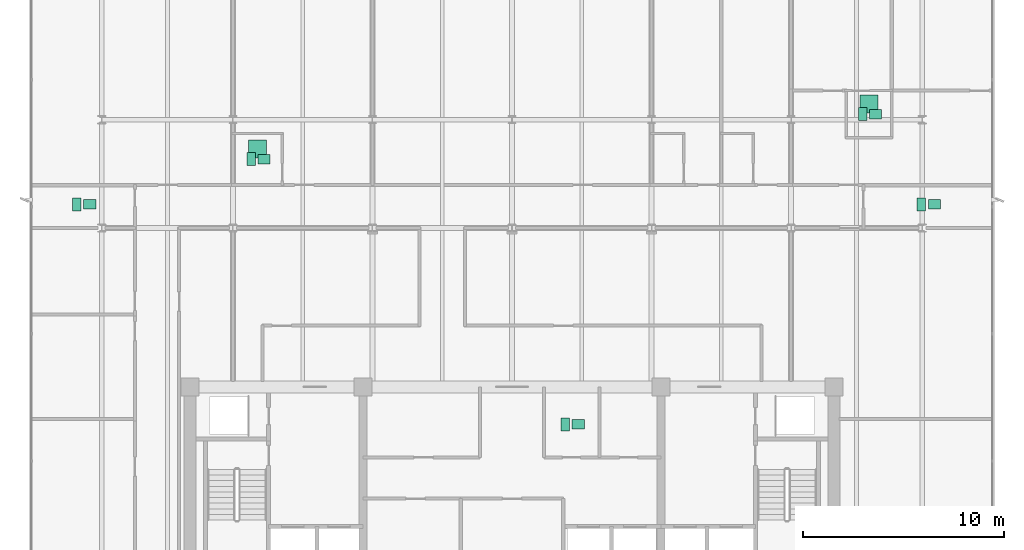
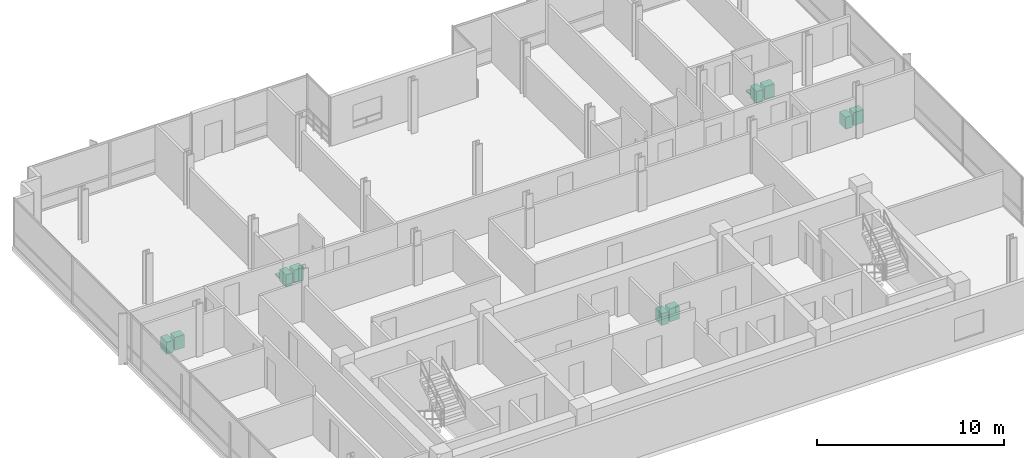
# One storey, part 17 of 17: 12 sanitary terminals.
"""IFC4 building model written with IfcOpenShell, lengths in metres."""

import ifcopenshell
import ifcopenshell.guid

model = None  # the IFC model being written
_history = None  # IfcOwnerHistory: only IFC2X3 demands one
_inside = {}  # id of a spatial element -> (the spatial element, [elements in it])
_under = {}  # id of a project, library or spatial element -> (it, [spatial elements below it])
_declared = {}  # id of a project -> (the project, [libraries it declares])
_typed = {}  # id of a type object -> (the type object, [elements of that type])
_made_of = {}  # id of a material, layer set ... -> (it, [elements and type objects made of it])


def new_model(schema):
    """Start an empty IFC model of exactly this schema.

    Asked for "IFC4X3", IfcOpenShell would pick the latest addendum, in which some entities
    have other attributes; the version numbers below select the first issue.
    IFC2X3 requires an IfcOwnerHistory on every rooted entity: one is made here for all.
    """
    global model, _history
    if schema == "IFC4X3":
        model = ifcopenshell.file(schema_version=(4, 3, 0, 0))
    else:
        model = ifcopenshell.file(schema=schema)
    _inside.clear()
    _under.clear()
    _declared.clear()
    _typed.clear()
    _made_of.clear()
    _history = None
    if model.schema == "IFC2X3":
        org = make("IfcOrganization", Name="unknown")
        user = make(
            "IfcPersonAndOrganization",
            ThePerson=make("IfcPerson", FamilyName="unknown"),
            TheOrganization=org,
        )
        app = make(
            "IfcApplication",
            ApplicationDeveloper=org,
            Version="unknown",
            ApplicationFullName="unknown",
            ApplicationIdentifier="unknown",
        )
        _history = make(
            "IfcOwnerHistory",
            OwningUser=user,
            OwningApplication=app,
            ChangeAction="ADDED",
            CreationDate=0,
        )
    return model


def make(cls, **values):
    """One entity of the class cls with the attributes given. An attribute that is None is left unset."""
    return model.create_entity(
        cls, **{name: value for name, value in values.items() if value is not None}
    )


def rooted(cls, **values):
    """An entity with a GlobalId (a new one), such as an element, a storey or a relation."""
    return make(cls, GlobalId=ifcopenshell.guid.new(), OwnerHistory=_history, **values)


def si_unit(unit_type, name, prefix=None):
    """IfcSIUnit, for example si_unit("LENGTHUNIT", "METRE", prefix="MILLI")."""
    return make("IfcSIUnit", UnitType=unit_type, Prefix=prefix, Name=name)


def assignment(units):
    """IfcUnitAssignment: the units of a project."""
    return None if units is None else make("IfcUnitAssignment", Units=units)


def point(xyz):
    """IfcCartesianPoint."""
    return None if xyz is None else make("IfcCartesianPoint", Coordinates=xyz)


def direction(xyz):
    """IfcDirection."""
    return None if xyz is None else make("IfcDirection", DirectionRatios=xyz)


def frame(location, z_axis=None, x_axis=None):
    """IfcAxis2Placement3D, a coordinate frame: its origin and axes. An axis left out is left unset."""
    return make(
        "IfcAxis2Placement3D",
        Location=point(location),
        Axis=direction(z_axis),
        RefDirection=direction(x_axis),
    )


def frame_2d(location, x_axis=None):
    """IfcAxis2Placement2D, a coordinate frame in the plane: its origin and x axis."""
    return make(
        "IfcAxis2Placement2D", Location=point(location), RefDirection=direction(x_axis)
    )


def origin():
    """The frame at (0, 0, 0) with its axes left unset."""
    return frame((0.0, 0.0, 0.0))


def origin_2d():
    """The frame at (0, 0) in the plane with its x axis left unset."""
    return frame_2d((0.0, 0.0))


def place(relative_to, where):
    """IfcLocalPlacement: puts the frame where relative to a parent placement (None: the world)."""
    return make(
        "IfcLocalPlacement", PlacementRelTo=relative_to, RelativePlacement=where
    )


def context(
    kind, dimensions, precision=None, world=None, true_north=None, identifier=None
):
    """IfcGeometricRepresentationContext, for example the 3D "Model" context."""
    return make(
        "IfcGeometricRepresentationContext",
        ContextIdentifier=identifier,
        ContextType=kind,
        CoordinateSpaceDimension=dimensions,
        Precision=precision,
        WorldCoordinateSystem=world,
        TrueNorth=true_north,
    )


def subcontext(parent, identifier, kind, view, scale=None):
    """IfcGeometricRepresentationSubContext, for example "Body" below "Model"."""
    return make(
        "IfcGeometricRepresentationSubContext",
        ContextIdentifier=identifier,
        ContextType=kind,
        ParentContext=parent,
        TargetScale=scale,
        TargetView=view,
    )


def project(units=None, contexts=None):
    """IfcProject with its units and contexts."""
    return rooted(
        "IfcProject",
        Name="project",
        RepresentationContexts=contexts,
        UnitsInContext=assignment(units),
    )


def spatial(cls, under=None, at=None, **own):
    """A site, building, storey or space (cls), placed at a placement, below another one or the project."""
    s = rooted(cls, ObjectPlacement=at, **own)
    if under is not None:
        _under.setdefault(under.id(), (under, []))[1].append(s)
    return s


def profile(cls, at=None, kind="AREA", **sizes):
    """A parametric profile (cls). Its sizes go by their IFC names, for example OverallWidth=200.0."""
    return make(cls, ProfileType=kind, Position=at, **sizes)


def rectangle(**sizes):
    """IfcRectangleProfileDef."""
    return profile("IfcRectangleProfileDef", **sizes)


def extrude(swept, where, along, depth):
    """IfcExtrudedAreaSolid: the profile swept, set in the frame where, extruded along a direction by depth."""
    return make(
        "IfcExtrudedAreaSolid",
        SweptArea=swept,
        Position=where,
        ExtrudedDirection=direction(along),
        Depth=depth,
    )


def shape(context_of_items, identifier, shape_type, items):
    """IfcShapeRepresentation: the items that make up one representation, for example the "Body"."""
    return make(
        "IfcShapeRepresentation",
        ContextOfItems=context_of_items,
        RepresentationIdentifier=identifier,
        RepresentationType=shape_type,
        Items=items,
    )


def material(Name=None, Category=None):
    """IfcMaterial."""
    return make("IfcMaterial", Name=Name, Category=Category)


def made_of(thing, what):
    """Note that an element or type object is made of a material, layer set ...; save() writes the relation."""
    if what is not None:
        _made_of.setdefault(what.id(), (what, []))[1].append(thing)
    return thing


def type_object(cls, material=None, **own):
    """A type object (cls), such as IfcWallType, which elements share."""
    return made_of(rooted(cls, **own), material)


def element(
    cls,
    number,
    at=None,
    inside=None,
    cuts=None,
    type_object=None,
    material=None,
    context=None,
    identifier="Body",
    shape_type=None,
    held_by="IfcProductDefinitionShape",
    body=None,
    shapes=None,
    **own,
):
    """One element of the class cls, such as IfcWall. Its Tag is "e" and its number.

    at: its placement. inside: the storey or other place that contains it. cuts: it is an
    opening in that element (IfcRelVoidsElement). A single representation is given by context,
    identifier, shape_type and body (its items); several are given by shapes. held_by: the class
    of the entity that holds the representations. save() writes the other relations.
    """
    e = rooted(cls, Tag="e%d" % number, ObjectPlacement=at, **own)
    if body is not None:
        shapes = [shape(context, identifier, shape_type, body)]
    if shapes is not None:
        e.Representation = make(held_by, Representations=shapes)
    if inside is not None:
        _inside.setdefault(inside.id(), (inside, []))[1].append(e)
    if cuts is not None:
        rooted(
            "IfcRelVoidsElement", RelatingBuildingElement=cuts, RelatedOpeningElement=e
        )
    if type_object is not None:
        _typed.setdefault(type_object.id(), (type_object, []))[1].append(e)
    return made_of(e, material)


def aggregate(whole, parts):
    """IfcRelAggregates: a whole, such as a stair, and the parts it consists of."""
    return rooted("IfcRelAggregates", RelatingObject=whole, RelatedObjects=parts)


def save(model, path):
    """Write the relations noted so far, then the file.

    IfcRelAggregates (storeys below a building ...), IfcRelContainedInSpatialStructure (elements
    in a storey), IfcRelDefinesByType, IfcRelAssociatesMaterial and IfcRelDeclares: one each for
    every whole, place, type object, material and project.
    """
    for whole, parts in _under.values():
        aggregate(whole, parts)
    for where, things in _inside.values():
        rooted(
            "IfcRelContainedInSpatialStructure",
            RelatedElements=things,
            RelatingStructure=where,
        )
    for kind, things in _typed.values():
        rooted("IfcRelDefinesByType", RelatedObjects=things, RelatingType=kind)
    for what, things in _made_of.values():
        rooted("IfcRelAssociatesMaterial", RelatedObjects=things, RelatingMaterial=what)
    for by, libraries in _declared.values():
        rooted("IfcRelDeclares", RelatingContext=by, RelatedDefinitions=libraries)
    model.write(path)


model = new_model("IFC4")

# Units and contexts
model_context = context("Model", 3, precision=1e-05, world=origin(), true_north=direction((0.0, 1.0)))
body_context = subcontext(model_context, "Body", "Model", "MODEL_VIEW")
ifc_project = project(units=[si_unit("LENGTHUNIT", "METRE"), si_unit("AREAUNIT", "SQUARE_METRE"), si_unit("VOLUMEUNIT", "CUBIC_METRE"), si_unit("PLANEANGLEUNIT", "RADIAN"), si_unit("MASSUNIT", "GRAM", prefix="KILO")], contexts=[model_context])

# Site, building, storey
site_placement = place(None, origin())
site = spatial("IfcSite", under=ifc_project, at=site_placement, CompositionType="ELEMENT")
building_placement = place(site_placement, origin())
building = spatial("IfcBuilding", under=site, at=building_placement, Name="Solmavex Isthmus Hotel", CompositionType="ELEMENT")
storey_placement = place(building_placement, frame((0.0, 0.0, 269.550048828125)))
storey = spatial("IfcBuildingStorey", under=building, at=storey_placement, Name="L73", CompositionType="ELEMENT", Elevation=269.550048828125)

# Sanitary terminals
ifc_material = material(Name="Vitreous china ceramic", Category="ceramic")
sanitary_terminal_type_1 = type_object("IfcSanitaryTerminalType", Name="SAN-BASIN", PredefinedType="WASHHANDBASIN", material=ifc_material)
for number, where, z_axis, x_axis, name in (
    (1, (3.294921875, -4.360107421875, 0.0), (0.0, 0.0, 1.0), (1.0, 0.0, 0.0), "Vanity Washbasin L73-372"),
    (2, (-12.326904296875, 8.824951171875, 0.0), (0.0, 0.0, 1.0), (1.0, 0.0, 0.0), "Vanity Washbasin L73-373"),
    (3, (18.071044921875, 11.06298828125, 0.0), (0.0, 0.0, 1.0), (1.0, 0.0, 0.0), "Vanity Washbasin L73-374"),
    (4, (-20.9951171875, 6.577392578125, 0.0), (0.0, 0.0, 1.0), (1.0, 0.0, 0.0), "Vanity Washbasin L73-375"),
    (5, (20.99609375, 6.577392578125, 0.0), (0.0, 0.0, 1.0), (1.0, 0.0, 0.0), "Vanity Washbasin L73-376"),
):
    element("IfcSanitaryTerminal", number, at=place(storey_placement, frame(where, z_axis=z_axis, x_axis=x_axis)), inside=storey, type_object=sanitary_terminal_type_1, Name=name, PredefinedType="WASHHANDBASIN", context=body_context, shape_type="SweptSolid", body=[
        extrude(rectangle(XDim=0.60009765625, YDim=0.47998046875, at=origin_2d()), origin(), (0.0, 0.0, 1.0), 0.85009765625),
    ])
sanitary_terminal_type_2 = type_object("IfcSanitaryTerminalType", Name="SAN-SHOWER", PredefinedType="SHOWER", material=ifc_material)
for number, where, z_axis, x_axis, name in (
    (6, (-12.64697265625, 9.324951171875, 0.0), (0.0, 0.0, 1.0), (1.0, 0.0, 0.0), "Walk-In Shower L73-373"),
    (7, (17.7509765625, 11.56298828125, 0.0), (0.0, 0.0, 1.0), (1.0, 0.0, 0.0), "Walk-In Shower L73-374"),
):
    element("IfcSanitaryTerminal", number, at=place(storey_placement, frame(where, z_axis=z_axis, x_axis=x_axis)), inside=storey, type_object=sanitary_terminal_type_2, Name=name, PredefinedType="SHOWER", context=body_context, shape_type="SweptSolid", body=[
        extrude(rectangle(XDim=0.89990234375, YDim=0.89990234375, at=origin_2d()), origin(), (0.0, 0.0, 1.0), 0.080078125),
    ])
sanitary_terminal_type_3 = type_object("IfcSanitaryTerminalType", Name="SAN-WC-SUITE", PredefinedType="TOILETPAN", material=ifc_material)
for number, where, z_axis, x_axis, name in (
    (8, (2.655029296875, -4.360107421875, 0.0), (0.0, 0.0, 1.0), (1.0, 0.0, 0.0), "Water Closet L73-372"),
    (9, (-12.967041015625, 8.824951171875, 0.0), (0.0, 0.0, 1.0), (1.0, 0.0, 0.0), "Water Closet L73-373"),
    (10, (17.430908203125, 11.06298828125, 0.0), (0.0, 0.0, 1.0), (1.0, 0.0, 0.0), "Water Closet L73-374"),
    (11, (-21.635009765625, 6.577392578125, 0.0), (0.0, 0.0, 1.0), (1.0, 0.0, 0.0), "Water Closet L73-375"),
    (12, (20.35595703125, 6.577392578125, 0.0), (0.0, 0.0, 1.0), (1.0, 0.0, 0.0), "Water Closet L73-376"),
):
    element("IfcSanitaryTerminal", number, at=place(storey_placement, frame(where, z_axis=z_axis, x_axis=x_axis)), inside=storey, type_object=sanitary_terminal_type_3, Name=name, PredefinedType="TOILETPAN", context=body_context, shape_type="SweptSolid", body=[
        extrude(rectangle(XDim=0.419921875, YDim=0.64990234375, at=origin_2d()), origin(), (0.0, 0.0, 1.0), 0.780029296875),
    ])

save(model, "model.ifc")
